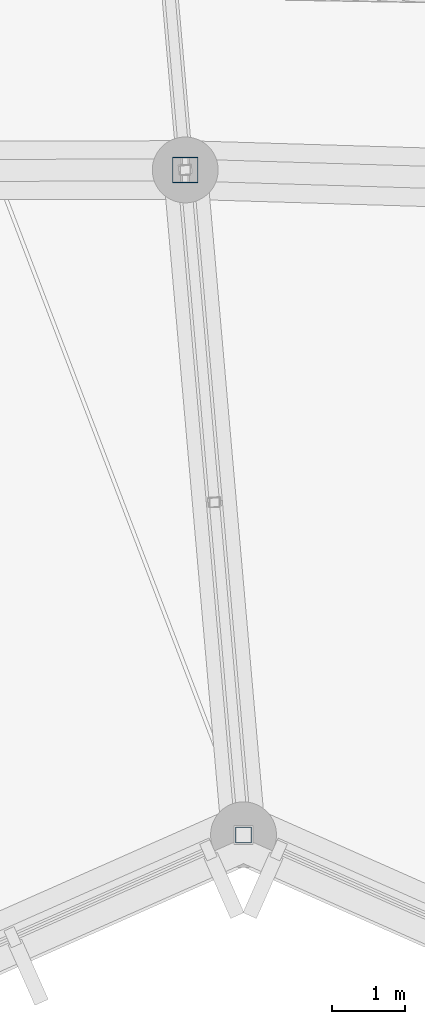
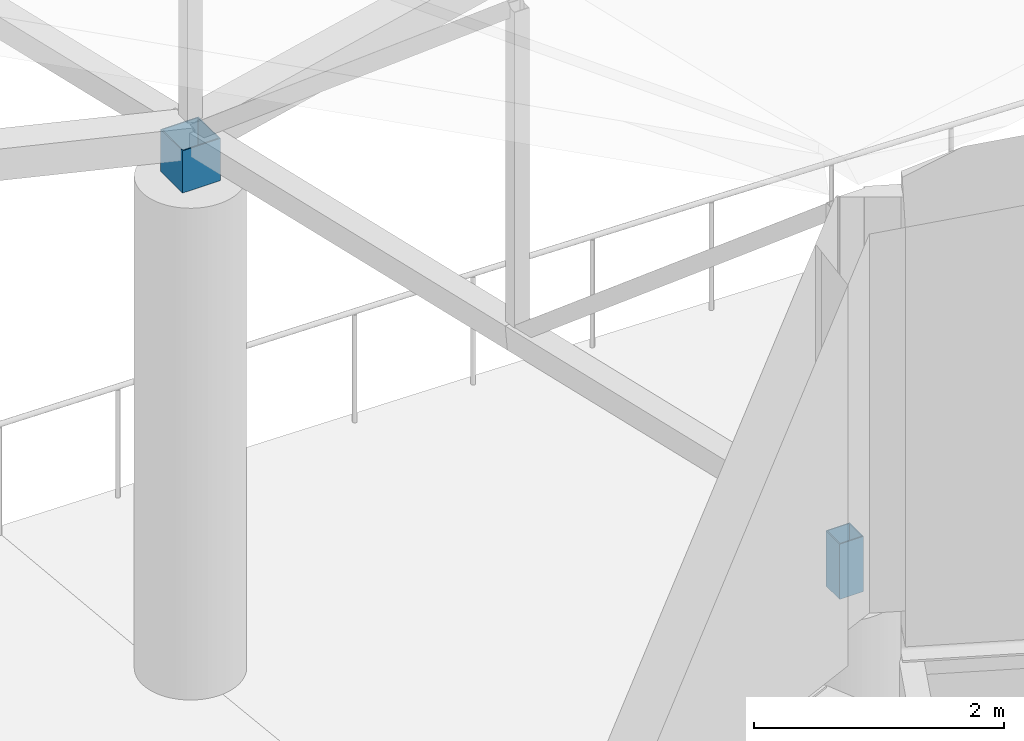
# One storey, part 210 of 344: 2 members.
"""IFC4 building model written with IfcOpenShell, lengths in metres."""

from ifc_helpers import new_model, si_unit, direction, frame, origin, origin_2d, place, context, subcontext, project, spatial, hollow_rectangle, extrude, material, material_profile, profile_set, type_object, element, save


model = new_model("IFC4")

# Units and contexts
model_context = context("Model", 3, precision=1e-05, world=origin(), true_north=direction((0.0, 1.0)))
body_context = subcontext(model_context, "Body", "Model", "MODEL_VIEW")
ifc_project = project(units=[si_unit("LENGTHUNIT", "METRE"), si_unit("AREAUNIT", "SQUARE_METRE"), si_unit("VOLUMEUNIT", "CUBIC_METRE"), si_unit("PLANEANGLEUNIT", "RADIAN"), si_unit("MASSUNIT", "GRAM", prefix="KILO")], contexts=[model_context])

# Site, building, storey
site_placement = place(None, origin())
site = spatial("IfcSite", under=ifc_project, at=site_placement, CompositionType="ELEMENT")
building_placement = place(site_placement, origin())
building = spatial("IfcBuilding", under=site, at=building_placement, Name="Meseta Stadium", CompositionType="ELEMENT")
storey_placement = place(building_placement, frame((0.0, 0.0, 24.0)))
storey = spatial("IfcBuildingStorey", under=building, at=storey_placement, Name="L04", CompositionType="ELEMENT", Elevation=24.0)

# Members
ifc_material_1 = material(Name="Steel S355", Category="steel")
ifc_material_profile_1 = material_profile(ifc_material_1, hollow_rectangle(XDim=0.219970703125, YDim=0.219970703125, WallThickness=0.008056640625, at=origin_2d()), Name="SHS 220x220x8")
ifc_profile_set_1 = profile_set([ifc_material_profile_1], Name="Steel S355")
member_type_1 = type_object("IfcMemberType", Name="SHS 220x220x8 rim post", PredefinedType="POST", material=ifc_profile_set_1)
member_1_placement = place(storey_placement, frame((7.666748046875, -98.60009765625, 6.0), z_axis=(0.0, 0.0, 1.0), x_axis=(1.0, 0.0, 0.0)))
element("IfcMember", 1, at=member_1_placement, inside=storey, type_object=member_type_1, Name="ROOF RIM POST RT-47", PredefinedType="POST", context=body_context, shape_type="SweptSolid", body=[
    extrude(hollow_rectangle(XDim=0.219970703125, YDim=0.219970703125, WallThickness=0.008056640625, at=origin_2d()), origin(), (0.0, 0.0, 1.0), 0.540771484375),
])
ifc_material_2 = material(Name="Steel S355", Category="steel")
ifc_material_profile_2 = material_profile(ifc_material_2, hollow_rectangle(XDim=0.35009765625, YDim=0.35009765625, WallThickness=0.010009765625, at=origin_2d()), Name="SHS 350x350x10")
ifc_profile_set_2 = profile_set([ifc_material_profile_2], Name="Steel S355")
member_type_2 = type_object("IfcMemberType", Name="SHS 350x350x10 pedestal", PredefinedType="POST", material=ifc_profile_set_2)
member_2_placement = place(storey_placement, frame((6.870849609375, -89.517822265625, 4.800048828125), z_axis=(0.0, 0.0, 1.0), x_axis=(1.0, 0.0, 0.0)))
element("IfcMember", 2, at=member_2_placement, inside=storey, type_object=member_type_2, Name="ROOF TRUSS RT-47 pedestal", PredefinedType="POST", context=body_context, shape_type="SweptSolid", body=[
    extrude(hollow_rectangle(XDim=0.35009765625, YDim=0.35009765625, WallThickness=0.010009765625, at=origin_2d()), origin(), (0.0, 0.0, 1.0), 0.41259765625),
])

save(model, "model.ifc")
